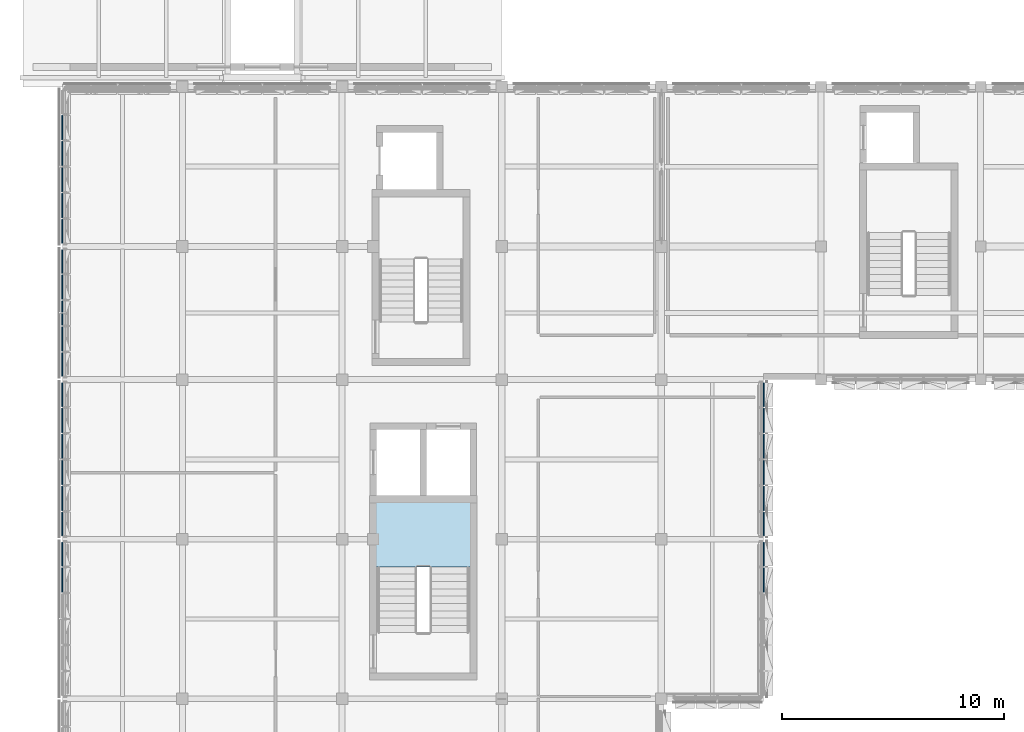
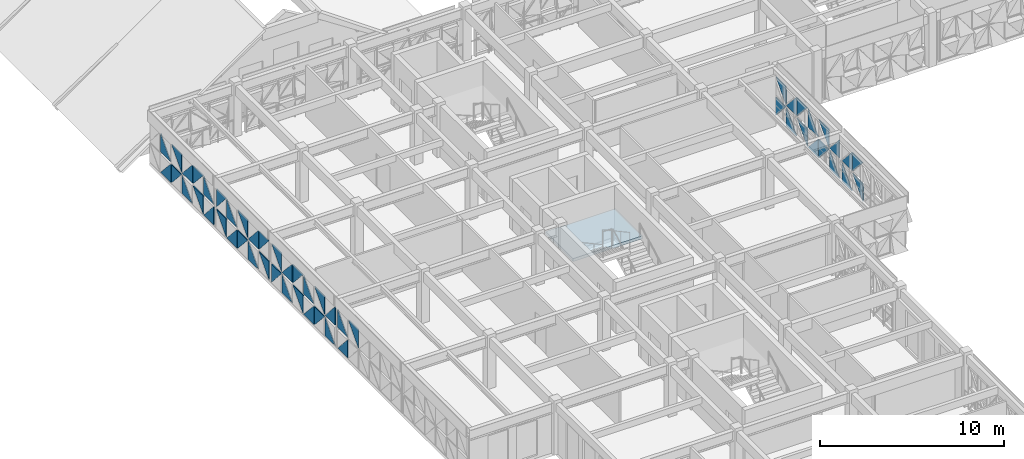
# One storey, part 21 of 48: 51 plates, 1 slab, 7 elements without a shape of their own.
"""IFC4 building model written with IfcOpenShell, lengths in metres."""

import ifcopenshell
import ifcopenshell.guid

model = None  # the IFC model being written
_history = None  # IfcOwnerHistory: only IFC2X3 demands one
_inside = {}  # id of a spatial element -> (the spatial element, [elements in it])
_under = {}  # id of a project, library or spatial element -> (it, [spatial elements below it])
_declared = {}  # id of a project -> (the project, [libraries it declares])
_typed = {}  # id of a type object -> (the type object, [elements of that type])
_made_of = {}  # id of a material, layer set ... -> (it, [elements and type objects made of it])


def new_model(schema):
    """Start an empty IFC model of exactly this schema.

    Asked for "IFC4X3", IfcOpenShell would pick the latest addendum, in which some entities
    have other attributes; the version numbers below select the first issue.
    IFC2X3 requires an IfcOwnerHistory on every rooted entity: one is made here for all.
    """
    global model, _history
    if schema == "IFC4X3":
        model = ifcopenshell.file(schema_version=(4, 3, 0, 0))
    else:
        model = ifcopenshell.file(schema=schema)
    _inside.clear()
    _under.clear()
    _declared.clear()
    _typed.clear()
    _made_of.clear()
    _history = None
    if model.schema == "IFC2X3":
        org = make("IfcOrganization", Name="unknown")
        user = make(
            "IfcPersonAndOrganization",
            ThePerson=make("IfcPerson", FamilyName="unknown"),
            TheOrganization=org,
        )
        app = make(
            "IfcApplication",
            ApplicationDeveloper=org,
            Version="unknown",
            ApplicationFullName="unknown",
            ApplicationIdentifier="unknown",
        )
        _history = make(
            "IfcOwnerHistory",
            OwningUser=user,
            OwningApplication=app,
            ChangeAction="ADDED",
            CreationDate=0,
        )
    return model


def make(cls, **values):
    """One entity of the class cls with the attributes given. An attribute that is None is left unset."""
    return model.create_entity(
        cls, **{name: value for name, value in values.items() if value is not None}
    )


def rooted(cls, **values):
    """An entity with a GlobalId (a new one), such as an element, a storey or a relation."""
    return make(cls, GlobalId=ifcopenshell.guid.new(), OwnerHistory=_history, **values)


def si_unit(unit_type, name, prefix=None):
    """IfcSIUnit, for example si_unit("LENGTHUNIT", "METRE", prefix="MILLI")."""
    return make("IfcSIUnit", UnitType=unit_type, Prefix=prefix, Name=name)


def assignment(units):
    """IfcUnitAssignment: the units of a project."""
    return None if units is None else make("IfcUnitAssignment", Units=units)


def point(xyz):
    """IfcCartesianPoint."""
    return None if xyz is None else make("IfcCartesianPoint", Coordinates=xyz)


def direction(xyz):
    """IfcDirection."""
    return None if xyz is None else make("IfcDirection", DirectionRatios=xyz)


def frame(location, z_axis=None, x_axis=None):
    """IfcAxis2Placement3D, a coordinate frame: its origin and axes. An axis left out is left unset."""
    return make(
        "IfcAxis2Placement3D",
        Location=point(location),
        Axis=direction(z_axis),
        RefDirection=direction(x_axis),
    )


def origin():
    """The frame at (0, 0, 0) with its axes left unset."""
    return frame((0.0, 0.0, 0.0))


def place(relative_to, where):
    """IfcLocalPlacement: puts the frame where relative to a parent placement (None: the world)."""
    return make(
        "IfcLocalPlacement", PlacementRelTo=relative_to, RelativePlacement=where
    )


def context(
    kind, dimensions, precision=None, world=None, true_north=None, identifier=None
):
    """IfcGeometricRepresentationContext, for example the 3D "Model" context."""
    return make(
        "IfcGeometricRepresentationContext",
        ContextIdentifier=identifier,
        ContextType=kind,
        CoordinateSpaceDimension=dimensions,
        Precision=precision,
        WorldCoordinateSystem=world,
        TrueNorth=true_north,
    )


def subcontext(parent, identifier, kind, view, scale=None):
    """IfcGeometricRepresentationSubContext, for example "Body" below "Model"."""
    return make(
        "IfcGeometricRepresentationSubContext",
        ContextIdentifier=identifier,
        ContextType=kind,
        ParentContext=parent,
        TargetScale=scale,
        TargetView=view,
    )


def project(units=None, contexts=None):
    """IfcProject with its units and contexts."""
    return rooted(
        "IfcProject",
        Name="project",
        RepresentationContexts=contexts,
        UnitsInContext=assignment(units),
    )


def spatial(cls, under=None, at=None, **own):
    """A site, building, storey or space (cls), placed at a placement, below another one or the project."""
    s = rooted(cls, ObjectPlacement=at, **own)
    if under is not None:
        _under.setdefault(under.id(), (under, []))[1].append(s)
    return s


def polyline(points):
    """IfcPolyline through the points."""
    return make("IfcPolyline", Points=[point(p) for p in points])


def outline(outer, holes=None, kind="AREA"):
    """IfcArbitraryClosedProfileDef: a profile drawn as a closed curve; with holes, ...WithVoids."""
    if holes is None:
        return make("IfcArbitraryClosedProfileDef", ProfileType=kind, OuterCurve=outer)
    return make(
        "IfcArbitraryProfileDefWithVoids",
        ProfileType=kind,
        OuterCurve=outer,
        InnerCurves=holes,
    )


def extrude(swept, where, along, depth):
    """IfcExtrudedAreaSolid: the profile swept, set in the frame where, extruded along a direction by depth."""
    return make(
        "IfcExtrudedAreaSolid",
        SweptArea=swept,
        Position=where,
        ExtrudedDirection=direction(along),
        Depth=depth,
    )


def shape(context_of_items, identifier, shape_type, items):
    """IfcShapeRepresentation: the items that make up one representation, for example the "Body"."""
    return make(
        "IfcShapeRepresentation",
        ContextOfItems=context_of_items,
        RepresentationIdentifier=identifier,
        RepresentationType=shape_type,
        Items=items,
    )


def material(Name=None, Category=None):
    """IfcMaterial."""
    return make("IfcMaterial", Name=Name, Category=Category)


def layer(
    of_material, thickness, ventilated=None, Name=None, Category=None, Priority=None
):
    """IfcMaterialLayer: one layer of a wall or slab, of a material (None: an air gap)."""
    return make(
        "IfcMaterialLayer",
        Material=of_material,
        LayerThickness=thickness,
        IsVentilated=ventilated,
        Name=Name,
        Category=Category,
        Priority=Priority,
    )


def layer_set(layers, Name=None):
    """IfcMaterialLayerSet."""
    return make("IfcMaterialLayerSet", MaterialLayers=layers, LayerSetName=Name)


def made_of(thing, what):
    """Note that an element or type object is made of a material, layer set ...; save() writes the relation."""
    if what is not None:
        _made_of.setdefault(what.id(), (what, []))[1].append(thing)
    return thing


def type_object(cls, material=None, **own):
    """A type object (cls), such as IfcWallType, which elements share."""
    return made_of(rooted(cls, **own), material)


def element(
    cls,
    number,
    at=None,
    inside=None,
    cuts=None,
    type_object=None,
    material=None,
    context=None,
    identifier="Body",
    shape_type=None,
    held_by="IfcProductDefinitionShape",
    body=None,
    shapes=None,
    **own,
):
    """One element of the class cls, such as IfcWall. Its Tag is "e" and its number.

    at: its placement. inside: the storey or other place that contains it. cuts: it is an
    opening in that element (IfcRelVoidsElement). A single representation is given by context,
    identifier, shape_type and body (its items); several are given by shapes. held_by: the class
    of the entity that holds the representations. save() writes the other relations.
    """
    e = rooted(cls, Tag="e%d" % number, ObjectPlacement=at, **own)
    if body is not None:
        shapes = [shape(context, identifier, shape_type, body)]
    if shapes is not None:
        e.Representation = make(held_by, Representations=shapes)
    if inside is not None:
        _inside.setdefault(inside.id(), (inside, []))[1].append(e)
    if cuts is not None:
        rooted(
            "IfcRelVoidsElement", RelatingBuildingElement=cuts, RelatedOpeningElement=e
        )
    if type_object is not None:
        _typed.setdefault(type_object.id(), (type_object, []))[1].append(e)
    return made_of(e, material)


def aggregate(whole, parts):
    """IfcRelAggregates: a whole, such as a stair, and the parts it consists of."""
    return rooted("IfcRelAggregates", RelatingObject=whole, RelatedObjects=parts)


def save(model, path):
    """Write the relations noted so far, then the file.

    IfcRelAggregates (storeys below a building ...), IfcRelContainedInSpatialStructure (elements
    in a storey), IfcRelDefinesByType, IfcRelAssociatesMaterial and IfcRelDeclares: one each for
    every whole, place, type object, material and project.
    """
    for whole, parts in _under.values():
        aggregate(whole, parts)
    for where, things in _inside.values():
        rooted(
            "IfcRelContainedInSpatialStructure",
            RelatedElements=things,
            RelatingStructure=where,
        )
    for kind, things in _typed.values():
        rooted("IfcRelDefinesByType", RelatedObjects=things, RelatingType=kind)
    for what, things in _made_of.values():
        rooted("IfcRelAssociatesMaterial", RelatedObjects=things, RelatingMaterial=what)
    for by, libraries in _declared.values():
        rooted("IfcRelDeclares", RelatingContext=by, RelatedDefinitions=libraries)
    model.write(path)


model = new_model("IFC4")

# Units and contexts
model_context = context("Model", 3, precision=1e-05, world=origin(), true_north=direction((0.0, 1.0)))
body_context = subcontext(model_context, "Body", "Model", "MODEL_VIEW")
ifc_project = project(units=[si_unit("LENGTHUNIT", "METRE"), si_unit("AREAUNIT", "SQUARE_METRE"), si_unit("VOLUMEUNIT", "CUBIC_METRE"), si_unit("PLANEANGLEUNIT", "RADIAN"), si_unit("MASSUNIT", "GRAM", prefix="KILO")], contexts=[model_context])

# Site, building, storey
site_placement = place(None, origin())
site = spatial("IfcSite", under=ifc_project, at=site_placement, CompositionType="ELEMENT")
building_placement = place(site_placement, origin())
building = spatial("IfcBuilding", under=site, at=building_placement, Name="Alvorim Cloister Faculty of Sciences", CompositionType="ELEMENT")
storey_placement = place(building_placement, frame((0.0, 0.0, 19.35009765625)))
storey = spatial("IfcBuildingStorey", under=building, at=storey_placement, Name="L05", CompositionType="ELEMENT", Elevation=19.35009765625)

# Curtain wall, plates
ifc_material_1 = material(Name="Aluminium and Low-E Glass Curtain Wall", Category="aluminium")
curtain_wall_type_1 = type_object("IfcCurtainWallType", Name="CW-TRI-7040x2857", PredefinedType="USERDEFINED", material=ifc_material_1)
curtain_wall_1_placement = place(storey_placement, origin())
curtain_wall_1 = element("IfcCurtainWall", 1, at=curtain_wall_1_placement, inside=storey, type_object=curtain_wall_type_1, Name="L05 Diagonal Cassette Curtain Wall CW-0215", ObjectType="UNITISED CURTAIN WALL", PredefinedType="USERDEFINED")
ifc_material_2 = material(Name="Double Low-E Laminated Glass", Category="glass")
ifc_layer_1 = layer(ifc_material_2, 0.0400390625)
ifc_layer_set_1 = layer_set([ifc_layer_1], Name="Double Low-E Laminated Glass")
plate_type = type_object("IfcPlateType", Name="PN-GLZ-40", PredefinedType="CURTAIN_PANEL", material=ifc_layer_set_1)
plate_1_placement = place(storey_placement, frame((1.77490234375, 33.605712890625, 1.498291015625), z_axis=(0.0, 0.0, 1.0), x_axis=(0.0, 1.0, 0.0)))
plate_1 = element("IfcPlate", 2, at=plate_1_placement, type_object=plate_type, Name="Diagonal Glazed Triangle TRI-TL", PredefinedType="CURTAIN_PANEL", context=body_context, shape_type="SweptSolid", body=[
    extrude(outline(polyline([(1.1064453125, 1.218505859375), (0.0, 1.218505859375), (0.0, 0.001953125), (1.1064453125, 1.218505859375)])), frame((0.0, 0.02490234375, 0.0), z_axis=(0.0, -1.0, 0.0), x_axis=(1.0, 0.0, 0.0)), (0.0, 0.0, 1.0), 0.050048828125),
])
plate_2_placement = place(storey_placement, frame((1.77490234375, 34.779052734375, 0.139892578125), z_axis=(0.0, 0.0, 1.0), x_axis=(0.0, 1.0, 0.0)))
plate_2 = element("IfcPlate", 3, at=plate_2_placement, type_object=plate_type, Name="Diagonal Glazed Triangle TRI-BL", PredefinedType="CURTAIN_PANEL", context=body_context, shape_type="SweptSolid", body=[
    extrude(outline(polyline([(0.0, 0.0), (1.073974609375, 0.0), (0.0, 1.216552734375), (0.0, 0.0)])), frame((0.0, 0.02490234375, 0.0), z_axis=(0.0, -1.0, 0.0), x_axis=(1.0, 0.0, 0.0)), (0.0, 0.0, 1.0), 0.050048828125),
])
plate_3_placement = place(storey_placement, frame((1.77490234375, 34.779052734375, 1.498291015625), z_axis=(0.0, 0.0, 1.0), x_axis=(0.0, 1.0, 0.0)))
plate_3 = element("IfcPlate", 4, at=plate_3_placement, type_object=plate_type, Name="Diagonal Glazed Triangle TRI-BR", PredefinedType="CURTAIN_PANEL", context=body_context, shape_type="SweptSolid", body=[
    extrude(outline(polyline([(0.001953125, 0.0), (1.075927734375, 0.0), (1.075927734375, 1.216552734375), (0.001953125, 0.0)])), frame((0.0, 0.02490234375, 0.0), z_axis=(0.0, -1.0, 0.0), x_axis=(1.0, 0.0, 0.0)), (0.0, 0.0, 1.0), 0.050048828125),
])
aggregate(curtain_wall_1, [plate_1, plate_2, plate_3])

curtain_wall_2_placement = place(storey_placement, origin())
curtain_wall_2 = element("IfcCurtainWall", 5, at=curtain_wall_2_placement, inside=storey, type_object=curtain_wall_type_1, Name="L05 Diagonal Cassette Curtain Wall CW-0216", ObjectType="UNITISED CURTAIN WALL", PredefinedType="USERDEFINED")
plate_4_placement = place(storey_placement, frame((1.77490234375, 36.14501953125, 0.139892578125), z_axis=(0.0, 0.0, 1.0), x_axis=(0.0, 1.0, 0.0)))
plate_4 = element("IfcPlate", 6, at=plate_4_placement, type_object=plate_type, Name="Diagonal Glazed Triangle TRI-BR", PredefinedType="CURTAIN_PANEL", context=body_context, shape_type="SweptSolid", body=[
    extrude(outline(polyline([(0.001953125, 0.0), (1.075927734375, 0.0), (1.075927734375, 1.216552734375), (0.001953125, 0.0)])), frame((0.0, 0.02490234375, 0.0), z_axis=(0.0, -1.0, 0.0), x_axis=(1.0, 0.0, 0.0)), (0.0, 0.0, 1.0), 0.050048828125),
])
plate_5_placement = place(storey_placement, frame((1.77490234375, 36.14501953125, 1.498291015625), z_axis=(0.0, 0.0, 1.0), x_axis=(0.0, 1.0, 0.0)))
plate_5 = element("IfcPlate", 7, at=plate_5_placement, type_object=plate_type, Name="Diagonal Glazed Triangle TRI-BL", PredefinedType="CURTAIN_PANEL", context=body_context, shape_type="SweptSolid", body=[
    extrude(outline(polyline([(0.0, 0.0), (1.073974609375, 0.0), (0.0, 1.216552734375), (0.0, 0.0)])), frame((0.0, 0.02490234375, 0.0), z_axis=(0.0, -1.0, 0.0), x_axis=(1.0, 0.0, 0.0)), (0.0, 0.0, 1.0), 0.050048828125),
])
plate_6_placement = place(storey_placement, frame((1.77490234375, 37.285888671875, 0.139892578125), z_axis=(0.0, 0.0, 1.0), x_axis=(0.0, 1.0, 0.0)))
plate_6 = element("IfcPlate", 8, at=plate_6_placement, type_object=plate_type, Name="Diagonal Glazed Triangle TRI-TR", PredefinedType="CURTAIN_PANEL", context=body_context, shape_type="SweptSolid", body=[
    extrude(outline(polyline([(1.1083984375, 0.001953125), (1.1083984375, 1.218505859375), (0.001953125, 1.218505859375), (1.1083984375, 0.001953125)])), frame((0.0, 0.02490234375, 0.0), z_axis=(0.0, -1.0, 0.0), x_axis=(1.0, 0.0, 0.0)), (0.0, 0.0, 1.0), 0.050048828125),
])
plate_7_placement = place(storey_placement, frame((1.77490234375, 37.285888671875, 1.498291015625), z_axis=(0.0, 0.0, 1.0), x_axis=(0.0, 1.0, 0.0)))
plate_7 = element("IfcPlate", 9, at=plate_7_placement, type_object=plate_type, Name="Diagonal Glazed Triangle TRI-TL", PredefinedType="CURTAIN_PANEL", context=body_context, shape_type="SweptSolid", body=[
    extrude(outline(polyline([(1.1064453125, 1.218505859375), (0.0, 1.218505859375), (0.0, 0.001953125), (1.1064453125, 1.218505859375)])), frame((0.0, 0.02490234375, 0.0), z_axis=(0.0, -1.0, 0.0), x_axis=(1.0, 0.0, 0.0)), (0.0, 0.0, 1.0), 0.050048828125),
])
plate_8_placement = place(storey_placement, frame((1.77490234375, 38.459228515625, 0.139892578125), z_axis=(0.0, 0.0, 1.0), x_axis=(0.0, 1.0, 0.0)))
plate_8 = element("IfcPlate", 10, at=plate_8_placement, type_object=plate_type, Name="Diagonal Glazed Triangle TRI-BL", PredefinedType="CURTAIN_PANEL", context=body_context, shape_type="SweptSolid", body=[
    extrude(outline(polyline([(0.0, 0.0), (1.1064453125, 0.0), (0.0, 1.216552734375), (0.0, 0.0)])), frame((0.0, 0.02490234375, 0.0), z_axis=(0.0, -1.0, 0.0), x_axis=(1.0, 0.0, 0.0)), (0.0, 0.0, 1.0), 0.050048828125),
])
plate_9_placement = place(storey_placement, frame((1.77490234375, 38.459228515625, 1.498291015625), z_axis=(0.0, 0.0, 1.0), x_axis=(0.0, 1.0, 0.0)))
plate_9 = element("IfcPlate", 11, at=plate_9_placement, type_object=plate_type, Name="Diagonal Glazed Triangle TRI-BR", PredefinedType="CURTAIN_PANEL", context=body_context, shape_type="SweptSolid", body=[
    extrude(outline(polyline([(0.001953125, 0.0), (1.1083984375, 0.0), (1.1083984375, 1.216552734375), (0.001953125, 0.0)])), frame((0.0, 0.02490234375, 0.0), z_axis=(0.0, -1.0, 0.0), x_axis=(1.0, 0.0, 0.0)), (0.0, 0.0, 1.0), 0.050048828125),
])
plate_10_placement = place(storey_placement, frame((1.77490234375, 39.632568359375, 0.139892578125), z_axis=(0.0, 0.0, 1.0), x_axis=(0.0, 1.0, 0.0)))
plate_10 = element("IfcPlate", 12, at=plate_10_placement, type_object=plate_type, Name="Diagonal Glazed Triangle TRI-TL", PredefinedType="CURTAIN_PANEL", context=body_context, shape_type="SweptSolid", body=[
    extrude(outline(polyline([(1.1064453125, 1.218505859375), (0.0, 1.218505859375), (0.0, 0.001953125), (1.1064453125, 1.218505859375)])), frame((0.0, 0.02490234375, 0.0), z_axis=(0.0, -1.0, 0.0), x_axis=(1.0, 0.0, 0.0)), (0.0, 0.0, 1.0), 0.050048828125),
])
plate_11_placement = place(storey_placement, frame((1.77490234375, 39.632568359375, 1.498291015625), z_axis=(0.0, 0.0, 1.0), x_axis=(0.0, 1.0, 0.0)))
plate_11 = element("IfcPlate", 13, at=plate_11_placement, type_object=plate_type, Name="Diagonal Glazed Triangle TRI-TR", PredefinedType="CURTAIN_PANEL", context=body_context, shape_type="SweptSolid", body=[
    extrude(outline(polyline([(1.1083984375, 0.001953125), (1.1083984375, 1.218505859375), (0.001953125, 1.218505859375), (1.1083984375, 0.001953125)])), frame((0.0, 0.02490234375, 0.0), z_axis=(0.0, -1.0, 0.0), x_axis=(1.0, 0.0, 0.0)), (0.0, 0.0, 1.0), 0.050048828125),
])
plate_12_placement = place(storey_placement, frame((1.77490234375, 40.805908203125, 0.139892578125), z_axis=(0.0, 0.0, 1.0), x_axis=(0.0, 1.0, 0.0)))
plate_12 = element("IfcPlate", 14, at=plate_12_placement, type_object=plate_type, Name="Diagonal Glazed Triangle TRI-BR", PredefinedType="CURTAIN_PANEL", context=body_context, shape_type="SweptSolid", body=[
    extrude(outline(polyline([(0.001953125, 0.0), (1.1083984375, 0.0), (1.1083984375, 1.216552734375), (0.001953125, 0.0)])), frame((0.0, 0.02490234375, 0.0), z_axis=(0.0, -1.0, 0.0), x_axis=(1.0, 0.0, 0.0)), (0.0, 0.0, 1.0), 0.050048828125),
])
plate_13_placement = place(storey_placement, frame((1.77490234375, 40.805908203125, 1.498291015625), z_axis=(0.0, 0.0, 1.0), x_axis=(0.0, 1.0, 0.0)))
plate_13 = element("IfcPlate", 15, at=plate_13_placement, type_object=plate_type, Name="Diagonal Glazed Triangle TRI-BL", PredefinedType="CURTAIN_PANEL", context=body_context, shape_type="SweptSolid", body=[
    extrude(outline(polyline([(0.0, 0.0), (1.1064453125, 0.0), (0.0, 1.216552734375), (0.0, 0.0)])), frame((0.0, 0.02490234375, 0.0), z_axis=(0.0, -1.0, 0.0), x_axis=(1.0, 0.0, 0.0)), (0.0, 0.0, 1.0), 0.050048828125),
])
plate_14_placement = place(storey_placement, frame((1.77490234375, 41.979248046875, 0.139892578125), z_axis=(0.0, 0.0, 1.0), x_axis=(0.0, 1.0, 0.0)))
plate_14 = element("IfcPlate", 16, at=plate_14_placement, type_object=plate_type, Name="Diagonal Glazed Triangle TRI-TR", PredefinedType="CURTAIN_PANEL", context=body_context, shape_type="SweptSolid", body=[
    extrude(outline(polyline([(1.075927734375, 0.001953125), (1.075927734375, 1.218505859375), (0.001953125, 1.218505859375), (1.075927734375, 0.001953125)])), frame((0.0, 0.02490234375, 0.0), z_axis=(0.0, -1.0, 0.0), x_axis=(1.0, 0.0, 0.0)), (0.0, 0.0, 1.0), 0.050048828125),
])
plate_15_placement = place(storey_placement, frame((1.77490234375, 41.979248046875, 1.498291015625), z_axis=(0.0, 0.0, 1.0), x_axis=(0.0, 1.0, 0.0)))
plate_15 = element("IfcPlate", 17, at=plate_15_placement, type_object=plate_type, Name="Diagonal Glazed Triangle TRI-TL", PredefinedType="CURTAIN_PANEL", context=body_context, shape_type="SweptSolid", body=[
    extrude(outline(polyline([(1.073974609375, 1.218505859375), (0.0, 1.218505859375), (0.0, 0.001953125), (1.073974609375, 1.218505859375)])), frame((0.0, 0.02490234375, 0.0), z_axis=(0.0, -1.0, 0.0), x_axis=(1.0, 0.0, 0.0)), (0.0, 0.0, 1.0), 0.050048828125),
])
aggregate(curtain_wall_2, [plate_4, plate_5, plate_6, plate_7, plate_8, plate_9, plate_10, plate_11, plate_12, plate_13, plate_14, plate_15])

curtain_wall_type_2 = type_object("IfcCurtainWallType", Name="CW-TRI-5840x2857", PredefinedType="USERDEFINED", material=ifc_material_1)
curtain_wall_3_placement = place(storey_placement, origin())
curtain_wall_3 = element("IfcCurtainWall", 18, at=curtain_wall_3_placement, inside=storey, type_object=curtain_wall_type_2, Name="L05 Diagonal Cassette Curtain Wall CW-0217", ObjectType="UNITISED CURTAIN WALL", PredefinedType="USERDEFINED")
plate_16_placement = place(storey_placement, frame((1.77490234375, 43.344970703125, 0.139892578125), z_axis=(0.0, 0.0, 1.0), x_axis=(0.0, 1.0, 0.0)))
plate_16 = element("IfcPlate", 19, at=plate_16_placement, type_object=plate_type, Name="Diagonal Glazed Triangle TRI-TL", PredefinedType="CURTAIN_PANEL", context=body_context, shape_type="SweptSolid", body=[
    extrude(outline(polyline([(1.068603515625, 1.218505859375), (0.0, 1.218505859375), (0.0, 0.001953125), (1.068603515625, 1.218505859375)])), frame((0.0, 0.02490234375, 0.0), z_axis=(0.0, -1.0, 0.0), x_axis=(1.0, 0.0, 0.0)), (0.0, 0.0, 1.0), 0.050048828125),
])
plate_17_placement = place(storey_placement, frame((1.77490234375, 43.344970703125, 1.498291015625), z_axis=(0.0, 0.0, 1.0), x_axis=(0.0, 1.0, 0.0)))
plate_17 = element("IfcPlate", 20, at=plate_17_placement, type_object=plate_type, Name="Diagonal Glazed Triangle TRI-TR", PredefinedType="CURTAIN_PANEL", context=body_context, shape_type="SweptSolid", body=[
    extrude(outline(polyline([(1.070556640625, 0.001953125), (1.070556640625, 1.218505859375), (0.001953125, 1.218505859375), (1.070556640625, 0.001953125)])), frame((0.0, 0.02490234375, 0.0), z_axis=(0.0, -1.0, 0.0), x_axis=(1.0, 0.0, 0.0)), (0.0, 0.0, 1.0), 0.050048828125),
])
plate_18_placement = place(storey_placement, frame((1.77490234375, 44.48046875, 0.139892578125), z_axis=(0.0, 0.0, 1.0), x_axis=(0.0, 1.0, 0.0)))
plate_18 = element("IfcPlate", 21, at=plate_18_placement, type_object=plate_type, Name="Diagonal Glazed Triangle TRI-BR", PredefinedType="CURTAIN_PANEL", context=body_context, shape_type="SweptSolid", body=[
    extrude(outline(polyline([(0.001953125, 0.0), (1.10302734375, 0.0), (1.10302734375, 1.216552734375), (0.001953125, 0.0)])), frame((0.0, 0.02490234375, 0.0), z_axis=(0.0, -1.0, 0.0), x_axis=(1.0, 0.0, 0.0)), (0.0, 0.0, 1.0), 0.050048828125),
])
plate_19_placement = place(storey_placement, frame((1.77490234375, 44.48046875, 1.498291015625), z_axis=(0.0, 0.0, 1.0), x_axis=(0.0, 1.0, 0.0)))
plate_19 = element("IfcPlate", 22, at=plate_19_placement, type_object=plate_type, Name="Diagonal Glazed Triangle TRI-BL", PredefinedType="CURTAIN_PANEL", context=body_context, shape_type="SweptSolid", body=[
    extrude(outline(polyline([(0.0, 0.0), (1.10107421875, 0.0), (0.0, 1.216552734375), (0.0, 0.0)])), frame((0.0, 0.02490234375, 0.0), z_axis=(0.0, -1.0, 0.0), x_axis=(1.0, 0.0, 0.0)), (0.0, 0.0, 1.0), 0.050048828125),
])
plate_20_placement = place(storey_placement, frame((1.77490234375, 45.6484375, 0.139892578125), z_axis=(0.0, 0.0, 1.0), x_axis=(0.0, 1.0, 0.0)))
plate_20 = element("IfcPlate", 23, at=plate_20_placement, type_object=plate_type, Name="Diagonal Glazed Triangle TRI-TR", PredefinedType="CURTAIN_PANEL", context=body_context, shape_type="SweptSolid", body=[
    extrude(outline(polyline([(1.10302734375, 0.001953125), (1.10302734375, 1.218505859375), (0.001953125, 1.218505859375), (1.10302734375, 0.001953125)])), frame((0.0, 0.02490234375, 0.0), z_axis=(0.0, -1.0, 0.0), x_axis=(1.0, 0.0, 0.0)), (0.0, 0.0, 1.0), 0.050048828125),
])
plate_21_placement = place(storey_placement, frame((1.77490234375, 45.6484375, 1.498291015625), z_axis=(0.0, 0.0, 1.0), x_axis=(0.0, 1.0, 0.0)))
plate_21 = element("IfcPlate", 24, at=plate_21_placement, type_object=plate_type, Name="Diagonal Glazed Triangle TRI-TL", PredefinedType="CURTAIN_PANEL", context=body_context, shape_type="SweptSolid", body=[
    extrude(outline(polyline([(1.10107421875, 1.218505859375), (0.0, 1.218505859375), (0.0, 0.001953125), (1.10107421875, 1.218505859375)])), frame((0.0, 0.02490234375, 0.0), z_axis=(0.0, -1.0, 0.0), x_axis=(1.0, 0.0, 0.0)), (0.0, 0.0, 1.0), 0.050048828125),
])
plate_22_placement = place(storey_placement, frame((1.77490234375, 46.81640625, 0.139892578125), z_axis=(0.0, 0.0, 1.0), x_axis=(0.0, 1.0, 0.0)))
plate_22 = element("IfcPlate", 25, at=plate_22_placement, type_object=plate_type, Name="Diagonal Glazed Triangle TRI-BL", PredefinedType="CURTAIN_PANEL", context=body_context, shape_type="SweptSolid", body=[
    extrude(outline(polyline([(0.0, 0.0), (1.10107421875, 0.0), (0.0, 1.216552734375), (0.0, 0.0)])), frame((0.0, 0.02490234375, 0.0), z_axis=(0.0, -1.0, 0.0), x_axis=(1.0, 0.0, 0.0)), (0.0, 0.0, 1.0), 0.050048828125),
])
plate_23_placement = place(storey_placement, frame((1.77490234375, 46.81640625, 1.498291015625), z_axis=(0.0, 0.0, 1.0), x_axis=(0.0, 1.0, 0.0)))
plate_23 = element("IfcPlate", 26, at=plate_23_placement, type_object=plate_type, Name="Diagonal Glazed Triangle TRI-BR", PredefinedType="CURTAIN_PANEL", context=body_context, shape_type="SweptSolid", body=[
    extrude(outline(polyline([(0.001953125, 0.0), (1.10302734375, 0.0), (1.10302734375, 1.216552734375), (0.001953125, 0.0)])), frame((0.0, 0.02490234375, 0.0), z_axis=(0.0, -1.0, 0.0), x_axis=(1.0, 0.0, 0.0)), (0.0, 0.0, 1.0), 0.050048828125),
])
plate_24_placement = place(storey_placement, frame((1.77490234375, 47.984619140625, 0.139892578125), z_axis=(0.0, 0.0, 1.0), x_axis=(0.0, 1.0, 0.0)))
plate_24 = element("IfcPlate", 27, at=plate_24_placement, type_object=plate_type, Name="Diagonal Glazed Triangle TRI-TL", PredefinedType="CURTAIN_PANEL", context=body_context, shape_type="SweptSolid", body=[
    extrude(outline(polyline([(1.068603515625, 1.218505859375), (0.0, 1.218505859375), (0.0, 0.001953125), (1.068603515625, 1.218505859375)])), frame((0.0, 0.02490234375, 0.0), z_axis=(0.0, -1.0, 0.0), x_axis=(1.0, 0.0, 0.0)), (0.0, 0.0, 1.0), 0.050048828125),
])
plate_25_placement = place(storey_placement, frame((1.77490234375, 47.984619140625, 1.498291015625), z_axis=(0.0, 0.0, 1.0), x_axis=(0.0, 1.0, 0.0)))
plate_25 = element("IfcPlate", 28, at=plate_25_placement, type_object=plate_type, Name="Diagonal Glazed Triangle TRI-TR", PredefinedType="CURTAIN_PANEL", context=body_context, shape_type="SweptSolid", body=[
    extrude(outline(polyline([(1.070556640625, 0.001953125), (1.070556640625, 1.218505859375), (0.001953125, 1.218505859375), (1.070556640625, 0.001953125)])), frame((0.0, 0.02490234375, 0.0), z_axis=(0.0, -1.0, 0.0), x_axis=(1.0, 0.0, 0.0)), (0.0, 0.0, 1.0), 0.050048828125),
])
aggregate(curtain_wall_3, [plate_16, plate_17, plate_18, plate_19, plate_20, plate_21, plate_22, plate_23, plate_24, plate_25])

curtain_wall_4_placement = place(storey_placement, origin())
curtain_wall_4 = element("IfcCurtainWall", 29, at=curtain_wall_4_placement, inside=storey, type_object=curtain_wall_type_1, Name="L05 Diagonal Cassette Curtain Wall CW-0218", ObjectType="UNITISED CURTAIN WALL", PredefinedType="USERDEFINED")
plate_26_placement = place(storey_placement, frame((1.77490234375, 49.344970703125, 0.139892578125), z_axis=(0.0, 0.0, 1.0), x_axis=(0.0, 1.0, 0.0)))
plate_26 = element("IfcPlate", 30, at=plate_26_placement, type_object=plate_type, Name="Diagonal Glazed Triangle TRI-BL", PredefinedType="CURTAIN_PANEL", context=body_context, shape_type="SweptSolid", body=[
    extrude(outline(polyline([(0.0, 0.0), (1.073974609375, 0.0), (0.0, 1.216552734375), (0.0, 0.0)])), frame((0.0, 0.02490234375, 0.0), z_axis=(0.0, -1.0, 0.0), x_axis=(1.0, 0.0, 0.0)), (0.0, 0.0, 1.0), 0.050048828125),
])
plate_27_placement = place(storey_placement, frame((1.77490234375, 49.344970703125, 1.498291015625), z_axis=(0.0, 0.0, 1.0), x_axis=(0.0, 1.0, 0.0)))
plate_27 = element("IfcPlate", 31, at=plate_27_placement, type_object=plate_type, Name="Diagonal Glazed Triangle TRI-BR", PredefinedType="CURTAIN_PANEL", context=body_context, shape_type="SweptSolid", body=[
    extrude(outline(polyline([(0.001953125, 0.0), (1.075927734375, 0.0), (1.075927734375, 1.216552734375), (0.001953125, 0.0)])), frame((0.0, 0.02490234375, 0.0), z_axis=(0.0, -1.0, 0.0), x_axis=(1.0, 0.0, 0.0)), (0.0, 0.0, 1.0), 0.050048828125),
])
plate_28_placement = place(storey_placement, frame((1.77490234375, 50.48583984375, 0.139892578125), z_axis=(0.0, 0.0, 1.0), x_axis=(0.0, 1.0, 0.0)))
plate_28 = element("IfcPlate", 32, at=plate_28_placement, type_object=plate_type, Name="Diagonal Glazed Triangle TRI-TL", PredefinedType="CURTAIN_PANEL", context=body_context, shape_type="SweptSolid", body=[
    extrude(outline(polyline([(1.1064453125, 1.218505859375), (0.0, 1.218505859375), (0.0, 0.001953125), (1.1064453125, 1.218505859375)])), frame((0.0, 0.02490234375, 0.0), z_axis=(0.0, -1.0, 0.0), x_axis=(1.0, 0.0, 0.0)), (0.0, 0.0, 1.0), 0.050048828125),
])
plate_29_placement = place(storey_placement, frame((1.77490234375, 50.48583984375, 1.498291015625), z_axis=(0.0, 0.0, 1.0), x_axis=(0.0, 1.0, 0.0)))
plate_29 = element("IfcPlate", 33, at=plate_29_placement, type_object=plate_type, Name="Diagonal Glazed Triangle TRI-TR", PredefinedType="CURTAIN_PANEL", context=body_context, shape_type="SweptSolid", body=[
    extrude(outline(polyline([(1.1083984375, 0.001953125), (1.1083984375, 1.218505859375), (0.001953125, 1.218505859375), (1.1083984375, 0.001953125)])), frame((0.0, 0.02490234375, 0.0), z_axis=(0.0, -1.0, 0.0), x_axis=(1.0, 0.0, 0.0)), (0.0, 0.0, 1.0), 0.050048828125),
])
plate_30_placement = place(storey_placement, frame((1.77490234375, 51.6591796875, 0.139892578125), z_axis=(0.0, 0.0, 1.0), x_axis=(0.0, 1.0, 0.0)))
plate_30 = element("IfcPlate", 34, at=plate_30_placement, type_object=plate_type, Name="Diagonal Glazed Triangle TRI-BR", PredefinedType="CURTAIN_PANEL", context=body_context, shape_type="SweptSolid", body=[
    extrude(outline(polyline([(0.001953125, 0.0), (1.1083984375, 0.0), (1.1083984375, 1.216552734375), (0.001953125, 0.0)])), frame((0.0, 0.02490234375, 0.0), z_axis=(0.0, -1.0, 0.0), x_axis=(1.0, 0.0, 0.0)), (0.0, 0.0, 1.0), 0.050048828125),
])
plate_31_placement = place(storey_placement, frame((1.77490234375, 51.6591796875, 1.498291015625), z_axis=(0.0, 0.0, 1.0), x_axis=(0.0, 1.0, 0.0)))
plate_31 = element("IfcPlate", 35, at=plate_31_placement, type_object=plate_type, Name="Diagonal Glazed Triangle TRI-BL", PredefinedType="CURTAIN_PANEL", context=body_context, shape_type="SweptSolid", body=[
    extrude(outline(polyline([(0.0, 0.0), (1.1064453125, 0.0), (0.0, 1.216552734375), (0.0, 0.0)])), frame((0.0, 0.02490234375, 0.0), z_axis=(0.0, -1.0, 0.0), x_axis=(1.0, 0.0, 0.0)), (0.0, 0.0, 1.0), 0.050048828125),
])
plate_32_placement = place(storey_placement, frame((1.77490234375, 52.83251953125, 0.139892578125), z_axis=(0.0, 0.0, 1.0), x_axis=(0.0, 1.0, 0.0)))
plate_32 = element("IfcPlate", 36, at=plate_32_placement, type_object=plate_type, Name="Diagonal Glazed Triangle TRI-TR", PredefinedType="CURTAIN_PANEL", context=body_context, shape_type="SweptSolid", body=[
    extrude(outline(polyline([(1.1083984375, 0.001953125), (1.1083984375, 1.218505859375), (0.001953125, 1.218505859375), (1.1083984375, 0.001953125)])), frame((0.0, 0.02490234375, 0.0), z_axis=(0.0, -1.0, 0.0), x_axis=(1.0, 0.0, 0.0)), (0.0, 0.0, 1.0), 0.050048828125),
])
plate_33_placement = place(storey_placement, frame((1.77490234375, 52.83251953125, 1.498291015625), z_axis=(0.0, 0.0, 1.0), x_axis=(0.0, 1.0, 0.0)))
plate_33 = element("IfcPlate", 37, at=plate_33_placement, type_object=plate_type, Name="Diagonal Glazed Triangle TRI-TL", PredefinedType="CURTAIN_PANEL", context=body_context, shape_type="SweptSolid", body=[
    extrude(outline(polyline([(1.1064453125, 1.218505859375), (0.0, 1.218505859375), (0.0, 0.001953125), (1.1064453125, 1.218505859375)])), frame((0.0, 0.02490234375, 0.0), z_axis=(0.0, -1.0, 0.0), x_axis=(1.0, 0.0, 0.0)), (0.0, 0.0, 1.0), 0.050048828125),
])
plate_34_placement = place(storey_placement, frame((1.77490234375, 54.005859375, 0.139892578125), z_axis=(0.0, 0.0, 1.0), x_axis=(0.0, 1.0, 0.0)))
plate_34 = element("IfcPlate", 38, at=plate_34_placement, type_object=plate_type, Name="Diagonal Glazed Triangle TRI-BL", PredefinedType="CURTAIN_PANEL", context=body_context, shape_type="SweptSolid", body=[
    extrude(outline(polyline([(0.0, 0.0), (1.1064453125, 0.0), (0.0, 1.216552734375), (0.0, 0.0)])), frame((0.0, 0.02490234375, 0.0), z_axis=(0.0, -1.0, 0.0), x_axis=(1.0, 0.0, 0.0)), (0.0, 0.0, 1.0), 0.050048828125),
])
plate_35_placement = place(storey_placement, frame((1.77490234375, 54.005859375, 1.498291015625), z_axis=(0.0, 0.0, 1.0), x_axis=(0.0, 1.0, 0.0)))
plate_35 = element("IfcPlate", 39, at=plate_35_placement, type_object=plate_type, Name="Diagonal Glazed Triangle TRI-BR", PredefinedType="CURTAIN_PANEL", context=body_context, shape_type="SweptSolid", body=[
    extrude(outline(polyline([(0.001953125, 0.0), (1.1083984375, 0.0), (1.1083984375, 1.216552734375), (0.001953125, 0.0)])), frame((0.0, 0.02490234375, 0.0), z_axis=(0.0, -1.0, 0.0), x_axis=(1.0, 0.0, 0.0)), (0.0, 0.0, 1.0), 0.050048828125),
])
aggregate(curtain_wall_4, [plate_26, plate_27, plate_28, plate_29, plate_30, plate_31, plate_32, plate_33, plate_34, plate_35])

curtain_wall_5_placement = place(storey_placement, origin())
curtain_wall_5 = element("IfcCurtainWall", 40, at=curtain_wall_5_placement, inside=storey, type_object=curtain_wall_type_1, Name="L05 Diagonal Cassette Curtain Wall CW-0232", ObjectType="UNITISED CURTAIN WALL", PredefinedType="USERDEFINED")
plate_36_placement = place(storey_placement, frame((33.425048828125, 36.14501953125, 0.139892578125), z_axis=(0.0, 0.0, 1.0), x_axis=(0.0, 1.0, 0.0)))
plate_36 = element("IfcPlate", 41, at=plate_36_placement, type_object=plate_type, Name="Diagonal Glazed Triangle TRI-BR", PredefinedType="CURTAIN_PANEL", context=body_context, shape_type="SweptSolid", body=[
    extrude(outline(polyline([(0.001953125, 0.0), (1.075927734375, 0.0), (1.075927734375, 1.216552734375), (0.001953125, 0.0)])), frame((0.0, 0.02490234375, 0.0), z_axis=(0.0, -1.0, 0.0), x_axis=(1.0, 0.0, 0.0)), (0.0, 0.0, 1.0), 0.050048828125),
])
plate_37_placement = place(storey_placement, frame((33.425048828125, 36.14501953125, 1.498291015625), z_axis=(0.0, 0.0, 1.0), x_axis=(0.0, 1.0, 0.0)))
plate_37 = element("IfcPlate", 42, at=plate_37_placement, type_object=plate_type, Name="Diagonal Glazed Triangle TRI-BL", PredefinedType="CURTAIN_PANEL", context=body_context, shape_type="SweptSolid", body=[
    extrude(outline(polyline([(0.0, 0.0), (1.073974609375, 0.0), (0.0, 1.216552734375), (0.0, 0.0)])), frame((0.0, 0.02490234375, 0.0), z_axis=(0.0, -1.0, 0.0), x_axis=(1.0, 0.0, 0.0)), (0.0, 0.0, 1.0), 0.050048828125),
])
plate_38_placement = place(storey_placement, frame((33.425048828125, 37.285888671875, 0.139892578125), z_axis=(0.0, 0.0, 1.0), x_axis=(0.0, 1.0, 0.0)))
plate_38 = element("IfcPlate", 43, at=plate_38_placement, type_object=plate_type, Name="Diagonal Glazed Triangle TRI-TR", PredefinedType="CURTAIN_PANEL", context=body_context, shape_type="SweptSolid", body=[
    extrude(outline(polyline([(1.1083984375, 0.001953125), (1.1083984375, 1.218505859375), (0.001953125, 1.218505859375), (1.1083984375, 0.001953125)])), frame((0.0, 0.02490234375, 0.0), z_axis=(0.0, -1.0, 0.0), x_axis=(1.0, 0.0, 0.0)), (0.0, 0.0, 1.0), 0.050048828125),
])
plate_39_placement = place(storey_placement, frame((33.425048828125, 37.285888671875, 1.498291015625), z_axis=(0.0, 0.0, 1.0), x_axis=(0.0, 1.0, 0.0)))
plate_39 = element("IfcPlate", 44, at=plate_39_placement, type_object=plate_type, Name="Diagonal Glazed Triangle TRI-TL", PredefinedType="CURTAIN_PANEL", context=body_context, shape_type="SweptSolid", body=[
    extrude(outline(polyline([(1.1064453125, 1.218505859375), (0.0, 1.218505859375), (0.0, 0.001953125), (1.1064453125, 1.218505859375)])), frame((0.0, 0.02490234375, 0.0), z_axis=(0.0, -1.0, 0.0), x_axis=(1.0, 0.0, 0.0)), (0.0, 0.0, 1.0), 0.050048828125),
])
plate_40_placement = place(storey_placement, frame((33.425048828125, 38.459228515625, 0.139892578125), z_axis=(0.0, 0.0, 1.0), x_axis=(0.0, 1.0, 0.0)))
plate_40 = element("IfcPlate", 45, at=plate_40_placement, type_object=plate_type, Name="Diagonal Glazed Triangle TRI-BL", PredefinedType="CURTAIN_PANEL", context=body_context, shape_type="SweptSolid", body=[
    extrude(outline(polyline([(0.0, 0.0), (1.1064453125, 0.0), (0.0, 1.216552734375), (0.0, 0.0)])), frame((0.0, 0.02490234375, 0.0), z_axis=(0.0, -1.0, 0.0), x_axis=(1.0, 0.0, 0.0)), (0.0, 0.0, 1.0), 0.050048828125),
])
plate_41_placement = place(storey_placement, frame((33.425048828125, 38.459228515625, 1.498291015625), z_axis=(0.0, 0.0, 1.0), x_axis=(0.0, 1.0, 0.0)))
plate_41 = element("IfcPlate", 46, at=plate_41_placement, type_object=plate_type, Name="Diagonal Glazed Triangle TRI-BR", PredefinedType="CURTAIN_PANEL", context=body_context, shape_type="SweptSolid", body=[
    extrude(outline(polyline([(0.001953125, 0.0), (1.1083984375, 0.0), (1.1083984375, 1.216552734375), (0.001953125, 0.0)])), frame((0.0, 0.02490234375, 0.0), z_axis=(0.0, -1.0, 0.0), x_axis=(1.0, 0.0, 0.0)), (0.0, 0.0, 1.0), 0.050048828125),
])
plate_42_placement = place(storey_placement, frame((33.425048828125, 39.632568359375, 0.139892578125), z_axis=(0.0, 0.0, 1.0), x_axis=(0.0, 1.0, 0.0)))
plate_42 = element("IfcPlate", 47, at=plate_42_placement, type_object=plate_type, Name="Diagonal Glazed Triangle TRI-TL", PredefinedType="CURTAIN_PANEL", context=body_context, shape_type="SweptSolid", body=[
    extrude(outline(polyline([(1.1064453125, 1.218505859375), (0.0, 1.218505859375), (0.0, 0.001953125), (1.1064453125, 1.218505859375)])), frame((0.0, 0.02490234375, 0.0), z_axis=(0.0, -1.0, 0.0), x_axis=(1.0, 0.0, 0.0)), (0.0, 0.0, 1.0), 0.050048828125),
])
plate_43_placement = place(storey_placement, frame((33.425048828125, 39.632568359375, 1.498291015625), z_axis=(0.0, 0.0, 1.0), x_axis=(0.0, 1.0, 0.0)))
plate_43 = element("IfcPlate", 48, at=plate_43_placement, type_object=plate_type, Name="Diagonal Glazed Triangle TRI-TR", PredefinedType="CURTAIN_PANEL", context=body_context, shape_type="SweptSolid", body=[
    extrude(outline(polyline([(1.1083984375, 0.001953125), (1.1083984375, 1.218505859375), (0.001953125, 1.218505859375), (1.1083984375, 0.001953125)])), frame((0.0, 0.02490234375, 0.0), z_axis=(0.0, -1.0, 0.0), x_axis=(1.0, 0.0, 0.0)), (0.0, 0.0, 1.0), 0.050048828125),
])
plate_44_placement = place(storey_placement, frame((33.425048828125, 40.805908203125, 0.139892578125), z_axis=(0.0, 0.0, 1.0), x_axis=(0.0, 1.0, 0.0)))
plate_44 = element("IfcPlate", 49, at=plate_44_placement, type_object=plate_type, Name="Diagonal Glazed Triangle TRI-BR", PredefinedType="CURTAIN_PANEL", context=body_context, shape_type="SweptSolid", body=[
    extrude(outline(polyline([(0.001953125, 0.0), (1.1083984375, 0.0), (1.1083984375, 1.216552734375), (0.001953125, 0.0)])), frame((0.0, 0.02490234375, 0.0), z_axis=(0.0, -1.0, 0.0), x_axis=(1.0, 0.0, 0.0)), (0.0, 0.0, 1.0), 0.050048828125),
])
plate_45_placement = place(storey_placement, frame((33.425048828125, 40.805908203125, 1.498291015625), z_axis=(0.0, 0.0, 1.0), x_axis=(0.0, 1.0, 0.0)))
plate_45 = element("IfcPlate", 50, at=plate_45_placement, type_object=plate_type, Name="Diagonal Glazed Triangle TRI-BL", PredefinedType="CURTAIN_PANEL", context=body_context, shape_type="SweptSolid", body=[
    extrude(outline(polyline([(0.0, 0.0), (1.1064453125, 0.0), (0.0, 1.216552734375), (0.0, 0.0)])), frame((0.0, 0.02490234375, 0.0), z_axis=(0.0, -1.0, 0.0), x_axis=(1.0, 0.0, 0.0)), (0.0, 0.0, 1.0), 0.050048828125),
])
plate_46_placement = place(storey_placement, frame((33.425048828125, 41.979248046875, 0.139892578125), z_axis=(0.0, 0.0, 1.0), x_axis=(0.0, 1.0, 0.0)))
plate_46 = element("IfcPlate", 51, at=plate_46_placement, type_object=plate_type, Name="Diagonal Glazed Triangle TRI-TR", PredefinedType="CURTAIN_PANEL", context=body_context, shape_type="SweptSolid", body=[
    extrude(outline(polyline([(1.075927734375, 0.001953125), (1.075927734375, 1.218505859375), (0.001953125, 1.218505859375), (1.075927734375, 0.001953125)])), frame((0.0, 0.02490234375, 0.0), z_axis=(0.0, -1.0, 0.0), x_axis=(1.0, 0.0, 0.0)), (0.0, 0.0, 1.0), 0.050048828125),
])
plate_47_placement = place(storey_placement, frame((33.425048828125, 41.979248046875, 1.498291015625), z_axis=(0.0, 0.0, 1.0), x_axis=(0.0, 1.0, 0.0)))
plate_47 = element("IfcPlate", 52, at=plate_47_placement, type_object=plate_type, Name="Diagonal Glazed Triangle TRI-TL", PredefinedType="CURTAIN_PANEL", context=body_context, shape_type="SweptSolid", body=[
    extrude(outline(polyline([(1.073974609375, 1.218505859375), (0.0, 1.218505859375), (0.0, 0.001953125), (1.073974609375, 1.218505859375)])), frame((0.0, 0.02490234375, 0.0), z_axis=(0.0, -1.0, 0.0), x_axis=(1.0, 0.0, 0.0)), (0.0, 0.0, 1.0), 0.050048828125),
])
aggregate(curtain_wall_5, [plate_36, plate_37, plate_38, plate_39, plate_40, plate_41, plate_42, plate_43, plate_44, plate_45, plate_46, plate_47])

curtain_wall_6_placement = place(storey_placement, origin())
curtain_wall_6 = element("IfcCurtainWall", 53, at=curtain_wall_6_placement, inside=storey, type_object=curtain_wall_type_1, Name="L05 Diagonal Cassette Curtain Wall CW-0233", ObjectType="UNITISED CURTAIN WALL", PredefinedType="USERDEFINED")
plate_48_placement = place(storey_placement, frame((33.425048828125, 33.605712890625, 0.139892578125), z_axis=(0.0, 0.0, 1.0), x_axis=(0.0, 1.0, 0.0)))
plate_48 = element("IfcPlate", 54, at=plate_48_placement, type_object=plate_type, Name="Diagonal Glazed Triangle TRI-TL", PredefinedType="CURTAIN_PANEL", context=body_context, shape_type="SweptSolid", body=[
    extrude(outline(polyline([(1.1064453125, 1.218505859375), (0.0, 1.218505859375), (0.0, 0.001953125), (1.1064453125, 1.218505859375)])), frame((0.0, 0.02490234375, 0.0), z_axis=(0.0, -1.0, 0.0), x_axis=(1.0, 0.0, 0.0)), (0.0, 0.0, 1.0), 0.050048828125),
])
plate_49_placement = place(storey_placement, frame((33.425048828125, 33.605712890625, 1.498291015625), z_axis=(0.0, 0.0, 1.0), x_axis=(0.0, 1.0, 0.0)))
plate_49 = element("IfcPlate", 55, at=plate_49_placement, type_object=plate_type, Name="Diagonal Glazed Triangle TRI-TR", PredefinedType="CURTAIN_PANEL", context=body_context, shape_type="SweptSolid", body=[
    extrude(outline(polyline([(1.1083984375, 0.001953125), (1.1083984375, 1.218505859375), (0.001953125, 1.218505859375), (1.1083984375, 0.001953125)])), frame((0.0, 0.02490234375, 0.0), z_axis=(0.0, -1.0, 0.0), x_axis=(1.0, 0.0, 0.0)), (0.0, 0.0, 1.0), 0.050048828125),
])
plate_50_placement = place(storey_placement, frame((33.425048828125, 34.779052734375, 0.139892578125), z_axis=(0.0, 0.0, 1.0), x_axis=(0.0, 1.0, 0.0)))
plate_50 = element("IfcPlate", 56, at=plate_50_placement, type_object=plate_type, Name="Diagonal Glazed Triangle TRI-BR", PredefinedType="CURTAIN_PANEL", context=body_context, shape_type="SweptSolid", body=[
    extrude(outline(polyline([(0.001953125, 0.0), (1.075927734375, 0.0), (1.075927734375, 1.216552734375), (0.001953125, 0.0)])), frame((0.0, 0.02490234375, 0.0), z_axis=(0.0, -1.0, 0.0), x_axis=(1.0, 0.0, 0.0)), (0.0, 0.0, 1.0), 0.050048828125),
])
plate_51_placement = place(storey_placement, frame((33.425048828125, 34.779052734375, 1.498291015625), z_axis=(0.0, 0.0, 1.0), x_axis=(0.0, 1.0, 0.0)))
plate_51 = element("IfcPlate", 57, at=plate_51_placement, type_object=plate_type, Name="Diagonal Glazed Triangle TRI-BL", PredefinedType="CURTAIN_PANEL", context=body_context, shape_type="SweptSolid", body=[
    extrude(outline(polyline([(0.0, 0.0), (1.073974609375, 0.0), (0.0, 1.216552734375), (0.0, 0.0)])), frame((0.0, 0.02490234375, 0.0), z_axis=(0.0, -1.0, 0.0), x_axis=(1.0, 0.0, 0.0)), (0.0, 0.0, 1.0), 0.050048828125),
])
aggregate(curtain_wall_6, [plate_48, plate_49, plate_50, plate_51])

# Stair, slab
ifc_material_3 = material(Name="Concrete C40", Category="concrete")
stair_type = type_object("IfcStairType", Name="STR-ST-02-1780x3600", PredefinedType="HALF_TURN_STAIR", material=ifc_material_3)
stair_placement = place(storey_placement, origin())
stair = element("IfcStair", 58, at=stair_placement, inside=storey, type_object=stair_type, Name="L05 Enclosed Smoke-Proof Stair ST-02", PredefinedType="HALF_TURN_STAIR")
ifc_layer_2 = layer(ifc_material_3, 0.199951171875)
ifc_layer_set_2 = layer_set([ifc_layer_2], Name="Concrete C40")
slab_type = type_object("IfcSlabType", Name="SL-LAND-200", PredefinedType="LANDING", material=ifc_layer_set_2)
slab_placement = place(storey_placement, frame((0.0, 0.0, 1.599853515625)))
slab = element("IfcSlab", 59, at=slab_placement, type_object=slab_type, Name="ST-02 landing 1", PredefinedType="LANDING", context=body_context, shape_type="SweptSolid", body=[
    extrude(outline(polyline([(20.239990234375, 34.75), (20.239990234375, 37.719970703125), (15.8798828125, 37.719970703125), (15.8798828125, 34.75), (20.239990234375, 34.75)])), origin(), (0.0, 0.0, 1.0), 0.199951171875),
])
aggregate(stair, [slab])

save(model, "model.ifc")
